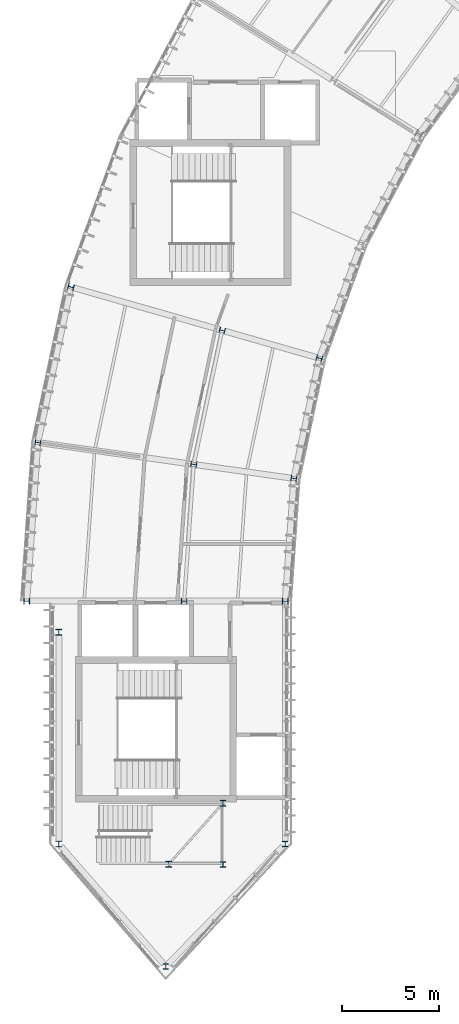
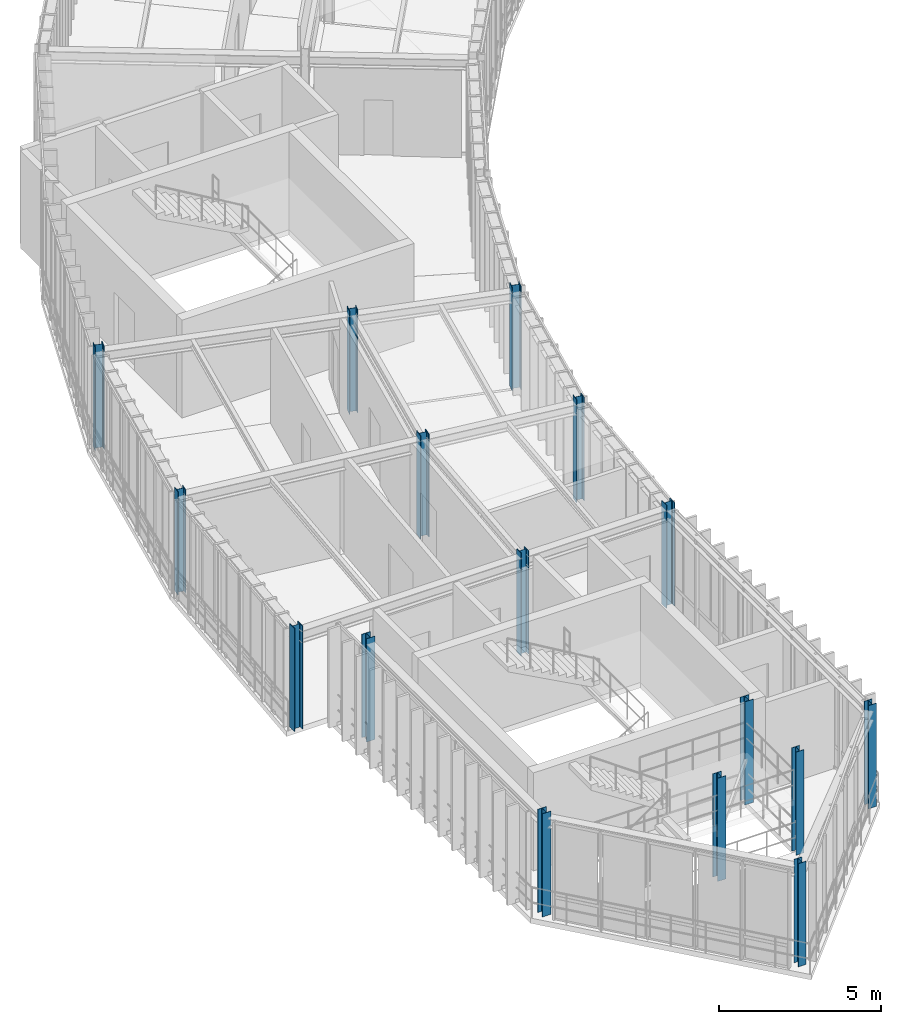
# One storey, part 1 of 25: 16 columns.
"""IFC4 building model written with IfcOpenShell, lengths in metres."""

import ifcopenshell
import ifcopenshell.guid

model = None  # the IFC model being written
_history = None  # IfcOwnerHistory: only IFC2X3 demands one
_inside = {}  # id of a spatial element -> (the spatial element, [elements in it])
_under = {}  # id of a project, library or spatial element -> (it, [spatial elements below it])
_declared = {}  # id of a project -> (the project, [libraries it declares])
_typed = {}  # id of a type object -> (the type object, [elements of that type])
_made_of = {}  # id of a material, layer set ... -> (it, [elements and type objects made of it])


def new_model(schema):
    """Start an empty IFC model of exactly this schema.

    Asked for "IFC4X3", IfcOpenShell would pick the latest addendum, in which some entities
    have other attributes; the version numbers below select the first issue.
    IFC2X3 requires an IfcOwnerHistory on every rooted entity: one is made here for all.
    """
    global model, _history
    if schema == "IFC4X3":
        model = ifcopenshell.file(schema_version=(4, 3, 0, 0))
    else:
        model = ifcopenshell.file(schema=schema)
    _inside.clear()
    _under.clear()
    _declared.clear()
    _typed.clear()
    _made_of.clear()
    _history = None
    if model.schema == "IFC2X3":
        org = make("IfcOrganization", Name="unknown")
        user = make(
            "IfcPersonAndOrganization",
            ThePerson=make("IfcPerson", FamilyName="unknown"),
            TheOrganization=org,
        )
        app = make(
            "IfcApplication",
            ApplicationDeveloper=org,
            Version="unknown",
            ApplicationFullName="unknown",
            ApplicationIdentifier="unknown",
        )
        _history = make(
            "IfcOwnerHistory",
            OwningUser=user,
            OwningApplication=app,
            ChangeAction="ADDED",
            CreationDate=0,
        )
    return model


def make(cls, **values):
    """One entity of the class cls with the attributes given. An attribute that is None is left unset."""
    return model.create_entity(
        cls, **{name: value for name, value in values.items() if value is not None}
    )


def rooted(cls, **values):
    """An entity with a GlobalId (a new one), such as an element, a storey or a relation."""
    return make(cls, GlobalId=ifcopenshell.guid.new(), OwnerHistory=_history, **values)


def si_unit(unit_type, name, prefix=None):
    """IfcSIUnit, for example si_unit("LENGTHUNIT", "METRE", prefix="MILLI")."""
    return make("IfcSIUnit", UnitType=unit_type, Prefix=prefix, Name=name)


def assignment(units):
    """IfcUnitAssignment: the units of a project."""
    return None if units is None else make("IfcUnitAssignment", Units=units)


def point(xyz):
    """IfcCartesianPoint."""
    return None if xyz is None else make("IfcCartesianPoint", Coordinates=xyz)


def direction(xyz):
    """IfcDirection."""
    return None if xyz is None else make("IfcDirection", DirectionRatios=xyz)


def frame(location, z_axis=None, x_axis=None):
    """IfcAxis2Placement3D, a coordinate frame: its origin and axes. An axis left out is left unset."""
    return make(
        "IfcAxis2Placement3D",
        Location=point(location),
        Axis=direction(z_axis),
        RefDirection=direction(x_axis),
    )


def frame_2d(location, x_axis=None):
    """IfcAxis2Placement2D, a coordinate frame in the plane: its origin and x axis."""
    return make(
        "IfcAxis2Placement2D", Location=point(location), RefDirection=direction(x_axis)
    )


def origin():
    """The frame at (0, 0, 0) with its axes left unset."""
    return frame((0.0, 0.0, 0.0))


def origin_2d():
    """The frame at (0, 0) in the plane with its x axis left unset."""
    return frame_2d((0.0, 0.0))


def place(relative_to, where):
    """IfcLocalPlacement: puts the frame where relative to a parent placement (None: the world)."""
    return make(
        "IfcLocalPlacement", PlacementRelTo=relative_to, RelativePlacement=where
    )


def context(
    kind, dimensions, precision=None, world=None, true_north=None, identifier=None
):
    """IfcGeometricRepresentationContext, for example the 3D "Model" context."""
    return make(
        "IfcGeometricRepresentationContext",
        ContextIdentifier=identifier,
        ContextType=kind,
        CoordinateSpaceDimension=dimensions,
        Precision=precision,
        WorldCoordinateSystem=world,
        TrueNorth=true_north,
    )


def subcontext(parent, identifier, kind, view, scale=None):
    """IfcGeometricRepresentationSubContext, for example "Body" below "Model"."""
    return make(
        "IfcGeometricRepresentationSubContext",
        ContextIdentifier=identifier,
        ContextType=kind,
        ParentContext=parent,
        TargetScale=scale,
        TargetView=view,
    )


def project(units=None, contexts=None):
    """IfcProject with its units and contexts."""
    return rooted(
        "IfcProject",
        Name="project",
        RepresentationContexts=contexts,
        UnitsInContext=assignment(units),
    )


def spatial(cls, under=None, at=None, **own):
    """A site, building, storey or space (cls), placed at a placement, below another one or the project."""
    s = rooted(cls, ObjectPlacement=at, **own)
    if under is not None:
        _under.setdefault(under.id(), (under, []))[1].append(s)
    return s


def profile(cls, at=None, kind="AREA", **sizes):
    """A parametric profile (cls). Its sizes go by their IFC names, for example OverallWidth=200.0."""
    return make(cls, ProfileType=kind, Position=at, **sizes)


def i_section(**sizes):
    """IfcIShapeProfileDef."""
    return profile("IfcIShapeProfileDef", **sizes)


def extrude(swept, where, along, depth):
    """IfcExtrudedAreaSolid: the profile swept, set in the frame where, extruded along a direction by depth."""
    return make(
        "IfcExtrudedAreaSolid",
        SweptArea=swept,
        Position=where,
        ExtrudedDirection=direction(along),
        Depth=depth,
    )


def shape(context_of_items, identifier, shape_type, items):
    """IfcShapeRepresentation: the items that make up one representation, for example the "Body"."""
    return make(
        "IfcShapeRepresentation",
        ContextOfItems=context_of_items,
        RepresentationIdentifier=identifier,
        RepresentationType=shape_type,
        Items=items,
    )


def material(Name=None, Category=None):
    """IfcMaterial."""
    return make("IfcMaterial", Name=Name, Category=Category)


def material_profile(
    of_material, cross_section, Name=None, Category=None, Priority=None
):
    """IfcMaterialProfile: a cross section and its material."""
    return make(
        "IfcMaterialProfile",
        Name=Name,
        Material=of_material,
        Profile=cross_section,
        Priority=Priority,
        Category=Category,
    )


def profile_set(profiles, Name=None, composite=None):
    """IfcMaterialProfileSet."""
    return make(
        "IfcMaterialProfileSet",
        Name=Name,
        MaterialProfiles=profiles,
        CompositeProfile=composite,
    )


def made_of(thing, what):
    """Note that an element or type object is made of a material, layer set ...; save() writes the relation."""
    if what is not None:
        _made_of.setdefault(what.id(), (what, []))[1].append(thing)
    return thing


def type_object(cls, material=None, **own):
    """A type object (cls), such as IfcWallType, which elements share."""
    return made_of(rooted(cls, **own), material)


def element(
    cls,
    number,
    at=None,
    inside=None,
    cuts=None,
    type_object=None,
    material=None,
    context=None,
    identifier="Body",
    shape_type=None,
    held_by="IfcProductDefinitionShape",
    body=None,
    shapes=None,
    **own,
):
    """One element of the class cls, such as IfcWall. Its Tag is "e" and its number.

    at: its placement. inside: the storey or other place that contains it. cuts: it is an
    opening in that element (IfcRelVoidsElement). A single representation is given by context,
    identifier, shape_type and body (its items); several are given by shapes. held_by: the class
    of the entity that holds the representations. save() writes the other relations.
    """
    e = rooted(cls, Tag="e%d" % number, ObjectPlacement=at, **own)
    if body is not None:
        shapes = [shape(context, identifier, shape_type, body)]
    if shapes is not None:
        e.Representation = make(held_by, Representations=shapes)
    if inside is not None:
        _inside.setdefault(inside.id(), (inside, []))[1].append(e)
    if cuts is not None:
        rooted(
            "IfcRelVoidsElement", RelatingBuildingElement=cuts, RelatedOpeningElement=e
        )
    if type_object is not None:
        _typed.setdefault(type_object.id(), (type_object, []))[1].append(e)
    return made_of(e, material)


def aggregate(whole, parts):
    """IfcRelAggregates: a whole, such as a stair, and the parts it consists of."""
    return rooted("IfcRelAggregates", RelatingObject=whole, RelatedObjects=parts)


def save(model, path):
    """Write the relations noted so far, then the file.

    IfcRelAggregates (storeys below a building ...), IfcRelContainedInSpatialStructure (elements
    in a storey), IfcRelDefinesByType, IfcRelAssociatesMaterial and IfcRelDeclares: one each for
    every whole, place, type object, material and project.
    """
    for whole, parts in _under.values():
        aggregate(whole, parts)
    for where, things in _inside.values():
        rooted(
            "IfcRelContainedInSpatialStructure",
            RelatedElements=things,
            RelatingStructure=where,
        )
    for kind, things in _typed.values():
        rooted("IfcRelDefinesByType", RelatedObjects=things, RelatingType=kind)
    for what, things in _made_of.values():
        rooted("IfcRelAssociatesMaterial", RelatedObjects=things, RelatingMaterial=what)
    for by, libraries in _declared.values():
        rooted("IfcRelDeclares", RelatingContext=by, RelatedDefinitions=libraries)
    model.write(path)


model = new_model("IFC4")

# Units and contexts
model_context = context("Model", 3, precision=1e-05, world=origin(), true_north=direction((0.0, 1.0)))
body_context = subcontext(model_context, "Body", "Model", "MODEL_VIEW")
ifc_project = project(units=[si_unit("LENGTHUNIT", "METRE"), si_unit("AREAUNIT", "SQUARE_METRE"), si_unit("VOLUMEUNIT", "CUBIC_METRE"), si_unit("PLANEANGLEUNIT", "RADIAN"), si_unit("MASSUNIT", "GRAM", prefix="KILO"), si_unit("THERMODYNAMICTEMPERATUREUNIT", "KELVIN"), si_unit("POWERUNIT", "WATT")], contexts=[model_context])

# Site, building, storey
site_placement = place(None, origin())
site = spatial("IfcSite", under=ifc_project, at=site_placement, CompositionType="ELEMENT")
building_placement = place(site_placement, origin())
building = spatial("IfcBuilding", under=site, at=building_placement, Name="Solvatero Civic Police Headquarters", CompositionType="ELEMENT")
storey_placement = place(building_placement, frame((0.0, 0.0, 25.5)))
storey = spatial("IfcBuildingStorey", under=building, at=storey_placement, Name="L06", CompositionType="ELEMENT", Elevation=25.5)

# Columns
ifc_material = material(Name="Steel S355", Category="steel")
ifc_material_profile_1 = material_profile(ifc_material, i_section(OverallWidth=0.280029296875, OverallDepth=0.280029296875, WebThickness=0.010498046875, FlangeThickness=0.01806640625, FilletRadius=0.02392578125, at=origin_2d()), Name="HEB 280")
ifc_profile_set_1 = profile_set([ifc_material_profile_1], Name="Steel S355")
column_type_1 = type_object("IfcColumnType", Name="COL-ST-HEB280", PredefinedType="COLUMN", material=ifc_profile_set_1)
for number, where, z_axis, x_axis, name in (
    (1, (45.408203125, 39.93359375, 0.0), (0.0, 0.0, 1.0), (0.275637355817, 0.961261695938, 0.0), "Column ARC-S10-MID L06"),
    (2, (49.09130859375, 32.3115234375, 0.0), (0.0, 0.0, 1.0), (0.13917310096, 0.990268068742, 0.0), "Column ARC-S11-IN L06"),
    (3, (35.9208984375, 34.16259765625, 0.0), (0.0, 0.0, 1.0), (0.13917310096, 0.990268068742, 0.0), "Column ARC-S11-OUT L06"),
    (4, (43.449951171875, 26.0, 0.0), (0.0, 0.0, 1.0), (0.0, 1.0, 0.0), "Column ARC-S12-MID L06"),
    (5, (48.64990234375, 13.5, 0.0), (0.0, 0.0, 1.0), (1.0, 0.0, 0.0), "Column PROW-SE L06"),
    (6, (42.5, 7.199951171875, 0.0), (0.0, 0.0, 1.0), (1.0, 0.0, 0.0), "Column PROW-TIP L06"),
    (7, (45.449951171875, 12.449951171875, 0.0), (0.0, 0.0, 1.0), (1.0, 0.0, 0.0), "Column PRWS2 L06"),
):
    element("IfcColumn", number, at=place(storey_placement, frame(where, z_axis=z_axis, x_axis=x_axis)), inside=storey, type_object=column_type_1, Name=name, PredefinedType="COLUMN", context=body_context, shape_type="SweptSolid", body=[
        extrude(i_section(OverallWidth=0.280029296875, OverallDepth=0.280029296875, WebThickness=0.010498046875, FlangeThickness=0.01806640625, FilletRadius=0.02392578125, at=origin_2d()), origin(), (0.0, 0.0, 1.0), 3.89990234375),
    ])
ifc_material_profile_2 = material_profile(ifc_material, i_section(OverallWidth=0.300048828125, OverallDepth=0.300048828125, WebThickness=0.010986328125, FlangeThickness=0.01904296875, FilletRadius=0.027099609375, at=origin_2d()), Name="HEB 300")
ifc_profile_set_2 = profile_set([ifc_material_profile_2], Name="Steel S355")
column_type_2 = type_object("IfcColumnType", Name="COL-ST-HEB300", PredefinedType="COLUMN", material=ifc_profile_set_2)
for number, where, z_axis, x_axis, name in (
    (8, (50.40673828125, 38.500244140625, 0.0), (0.0, 0.0, 1.0), (0.275637355817, 0.961261695938, 0.0), "Column ARC-S10-IN L06"),
    (9, (37.6220703125, 42.166015625, 0.0), (0.0, 0.0, 1.0), (0.275637355817, 0.961261695938, 0.0), "Column ARC-S10-OUT L06"),
    (10, (43.94189453125, 33.03515625, 0.0), (0.0, 0.0, 1.0), (0.13917310096, 0.990268068742, 0.0), "Column ARC-S11-MID L06"),
    (11, (48.64990234375, 26.0, 0.0), (0.0, 0.0, 1.0), (0.0, 1.0, 0.0), "Column ARC-S12-IN L06"),
    (12, (35.35009765625, 26.0, 0.0), (0.0, 0.0, 1.0), (0.0, 1.0, 0.0), "Column ARC-S12-OUT L06"),
    (13, (37.0, 24.39990234375, 0.0), (0.0, 0.0, 1.0), (1.0, 0.0, 0.0), "Column PROW-NW L06"),
    (14, (37.0, 13.5, 0.0), (0.0, 0.0, 1.0), (1.0, 0.0, 0.0), "Column PROW-SW L06"),
    (15, (42.64990234375, 12.449951171875, 0.0), (0.0, 0.0, 1.0), (1.0, 0.0, 0.0), "Column PRWS1 L06"),
    (16, (45.449951171875, 15.60009765625, 0.0), (0.0, 0.0, 1.0), (1.0, 0.0, 0.0), "Column PRWS3 L06"),
):
    element("IfcColumn", number, at=place(storey_placement, frame(where, z_axis=z_axis, x_axis=x_axis)), inside=storey, type_object=column_type_2, Name=name, PredefinedType="COLUMN", context=body_context, shape_type="SweptSolid", body=[
        extrude(i_section(OverallWidth=0.300048828125, OverallDepth=0.300048828125, WebThickness=0.010986328125, FlangeThickness=0.01904296875, FilletRadius=0.027099609375, at=origin_2d()), origin(), (0.0, 0.0, 1.0), 3.89990234375),
    ])

save(model, "model.ifc")
